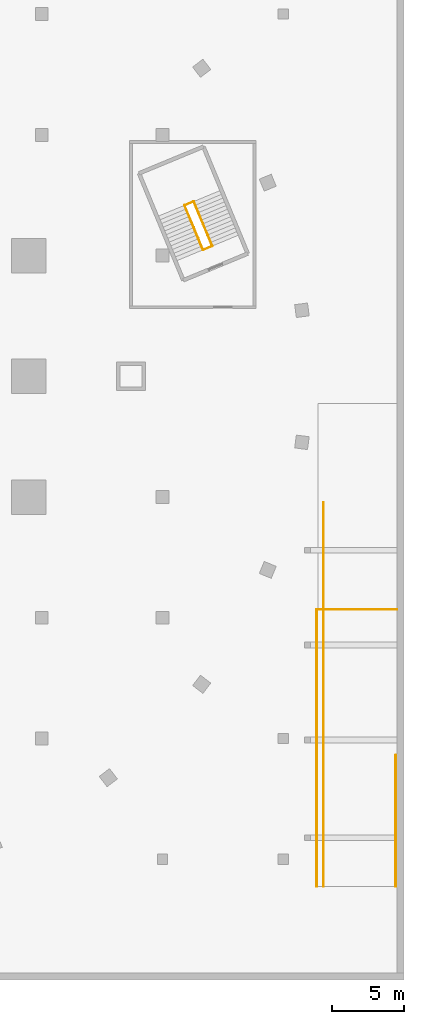
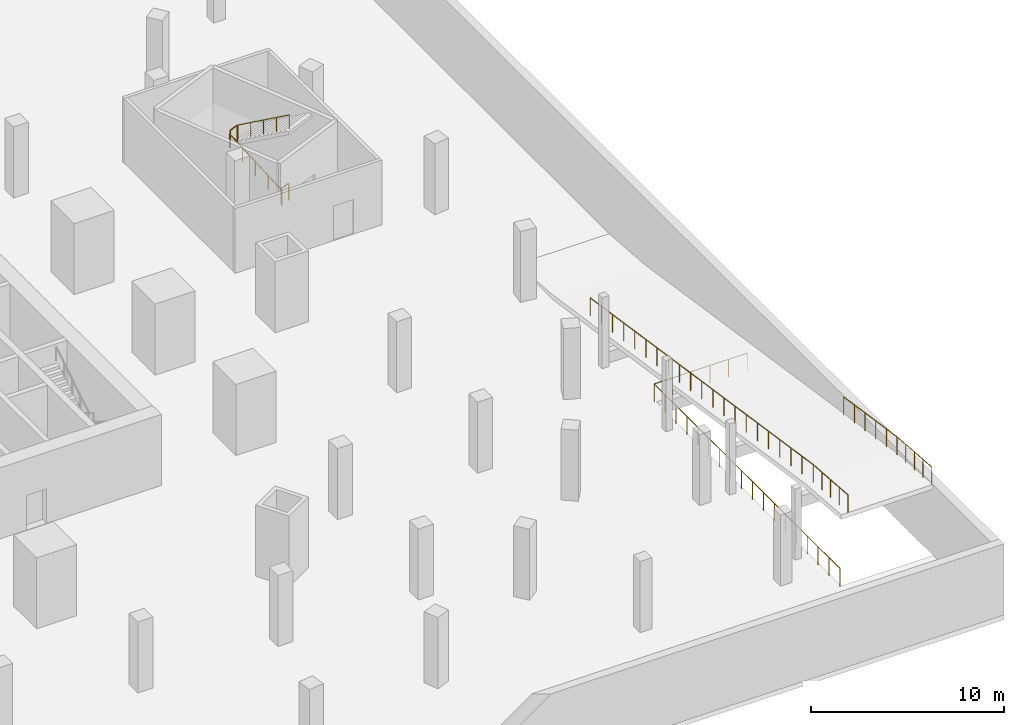
# One storey, part 9 of 9: 7 railings.
"""IFC4 building model written with IfcOpenShell, lengths in metres."""

import ifcopenshell
import ifcopenshell.guid

model = None  # the IFC model being written
_history = None  # IfcOwnerHistory: only IFC2X3 demands one
_inside = {}  # id of a spatial element -> (the spatial element, [elements in it])
_under = {}  # id of a project, library or spatial element -> (it, [spatial elements below it])
_declared = {}  # id of a project -> (the project, [libraries it declares])
_typed = {}  # id of a type object -> (the type object, [elements of that type])
_made_of = {}  # id of a material, layer set ... -> (it, [elements and type objects made of it])


def new_model(schema):
    """Start an empty IFC model of exactly this schema.

    Asked for "IFC4X3", IfcOpenShell would pick the latest addendum, in which some entities
    have other attributes; the version numbers below select the first issue.
    IFC2X3 requires an IfcOwnerHistory on every rooted entity: one is made here for all.
    """
    global model, _history
    if schema == "IFC4X3":
        model = ifcopenshell.file(schema_version=(4, 3, 0, 0))
    else:
        model = ifcopenshell.file(schema=schema)
    _inside.clear()
    _under.clear()
    _declared.clear()
    _typed.clear()
    _made_of.clear()
    _history = None
    if model.schema == "IFC2X3":
        org = make("IfcOrganization", Name="unknown")
        user = make(
            "IfcPersonAndOrganization",
            ThePerson=make("IfcPerson", FamilyName="unknown"),
            TheOrganization=org,
        )
        app = make(
            "IfcApplication",
            ApplicationDeveloper=org,
            Version="unknown",
            ApplicationFullName="unknown",
            ApplicationIdentifier="unknown",
        )
        _history = make(
            "IfcOwnerHistory",
            OwningUser=user,
            OwningApplication=app,
            ChangeAction="ADDED",
            CreationDate=0,
        )
    return model


def make(cls, **values):
    """One entity of the class cls with the attributes given. An attribute that is None is left unset."""
    return model.create_entity(
        cls, **{name: value for name, value in values.items() if value is not None}
    )


def rooted(cls, **values):
    """An entity with a GlobalId (a new one), such as an element, a storey or a relation."""
    return make(cls, GlobalId=ifcopenshell.guid.new(), OwnerHistory=_history, **values)


def si_unit(unit_type, name, prefix=None):
    """IfcSIUnit, for example si_unit("LENGTHUNIT", "METRE", prefix="MILLI")."""
    return make("IfcSIUnit", UnitType=unit_type, Prefix=prefix, Name=name)


def assignment(units):
    """IfcUnitAssignment: the units of a project."""
    return None if units is None else make("IfcUnitAssignment", Units=units)


def point(xyz):
    """IfcCartesianPoint."""
    return None if xyz is None else make("IfcCartesianPoint", Coordinates=xyz)


def direction(xyz):
    """IfcDirection."""
    return None if xyz is None else make("IfcDirection", DirectionRatios=xyz)


def frame(location, z_axis=None, x_axis=None):
    """IfcAxis2Placement3D, a coordinate frame: its origin and axes. An axis left out is left unset."""
    return make(
        "IfcAxis2Placement3D",
        Location=point(location),
        Axis=direction(z_axis),
        RefDirection=direction(x_axis),
    )


def frame_2d(location, x_axis=None):
    """IfcAxis2Placement2D, a coordinate frame in the plane: its origin and x axis."""
    return make(
        "IfcAxis2Placement2D", Location=point(location), RefDirection=direction(x_axis)
    )


def origin():
    """The frame at (0, 0, 0) with its axes left unset."""
    return frame((0.0, 0.0, 0.0))


def origin_2d():
    """The frame at (0, 0) in the plane with its x axis left unset."""
    return frame_2d((0.0, 0.0))


def place(relative_to, where):
    """IfcLocalPlacement: puts the frame where relative to a parent placement (None: the world)."""
    return make(
        "IfcLocalPlacement", PlacementRelTo=relative_to, RelativePlacement=where
    )


def context(
    kind, dimensions, precision=None, world=None, true_north=None, identifier=None
):
    """IfcGeometricRepresentationContext, for example the 3D "Model" context."""
    return make(
        "IfcGeometricRepresentationContext",
        ContextIdentifier=identifier,
        ContextType=kind,
        CoordinateSpaceDimension=dimensions,
        Precision=precision,
        WorldCoordinateSystem=world,
        TrueNorth=true_north,
    )


def subcontext(parent, identifier, kind, view, scale=None):
    """IfcGeometricRepresentationSubContext, for example "Body" below "Model"."""
    return make(
        "IfcGeometricRepresentationSubContext",
        ContextIdentifier=identifier,
        ContextType=kind,
        ParentContext=parent,
        TargetScale=scale,
        TargetView=view,
    )


def project(units=None, contexts=None):
    """IfcProject with its units and contexts."""
    return rooted(
        "IfcProject",
        Name="project",
        RepresentationContexts=contexts,
        UnitsInContext=assignment(units),
    )


def spatial(cls, under=None, at=None, **own):
    """A site, building, storey or space (cls), placed at a placement, below another one or the project."""
    s = rooted(cls, ObjectPlacement=at, **own)
    if under is not None:
        _under.setdefault(under.id(), (under, []))[1].append(s)
    return s


def profile(cls, at=None, kind="AREA", **sizes):
    """A parametric profile (cls). Its sizes go by their IFC names, for example OverallWidth=200.0."""
    return make(cls, ProfileType=kind, Position=at, **sizes)


def circle(**sizes):
    """IfcCircleProfileDef."""
    return profile("IfcCircleProfileDef", **sizes)


def extrude(swept, where, along, depth):
    """IfcExtrudedAreaSolid: the profile swept, set in the frame where, extruded along a direction by depth."""
    return make(
        "IfcExtrudedAreaSolid",
        SweptArea=swept,
        Position=where,
        ExtrudedDirection=direction(along),
        Depth=depth,
    )


def shape(context_of_items, identifier, shape_type, items):
    """IfcShapeRepresentation: the items that make up one representation, for example the "Body"."""
    return make(
        "IfcShapeRepresentation",
        ContextOfItems=context_of_items,
        RepresentationIdentifier=identifier,
        RepresentationType=shape_type,
        Items=items,
    )


def material(Name=None, Category=None):
    """IfcMaterial."""
    return make("IfcMaterial", Name=Name, Category=Category)


def made_of(thing, what):
    """Note that an element or type object is made of a material, layer set ...; save() writes the relation."""
    if what is not None:
        _made_of.setdefault(what.id(), (what, []))[1].append(thing)
    return thing


def type_object(cls, material=None, **own):
    """A type object (cls), such as IfcWallType, which elements share."""
    return made_of(rooted(cls, **own), material)


def element(
    cls,
    number,
    at=None,
    inside=None,
    cuts=None,
    type_object=None,
    material=None,
    context=None,
    identifier="Body",
    shape_type=None,
    held_by="IfcProductDefinitionShape",
    body=None,
    shapes=None,
    **own,
):
    """One element of the class cls, such as IfcWall. Its Tag is "e" and its number.

    at: its placement. inside: the storey or other place that contains it. cuts: it is an
    opening in that element (IfcRelVoidsElement). A single representation is given by context,
    identifier, shape_type and body (its items); several are given by shapes. held_by: the class
    of the entity that holds the representations. save() writes the other relations.
    """
    e = rooted(cls, Tag="e%d" % number, ObjectPlacement=at, **own)
    if body is not None:
        shapes = [shape(context, identifier, shape_type, body)]
    if shapes is not None:
        e.Representation = make(held_by, Representations=shapes)
    if inside is not None:
        _inside.setdefault(inside.id(), (inside, []))[1].append(e)
    if cuts is not None:
        rooted(
            "IfcRelVoidsElement", RelatingBuildingElement=cuts, RelatedOpeningElement=e
        )
    if type_object is not None:
        _typed.setdefault(type_object.id(), (type_object, []))[1].append(e)
    return made_of(e, material)


def aggregate(whole, parts):
    """IfcRelAggregates: a whole, such as a stair, and the parts it consists of."""
    return rooted("IfcRelAggregates", RelatingObject=whole, RelatedObjects=parts)


def save(model, path):
    """Write the relations noted so far, then the file.

    IfcRelAggregates (storeys below a building ...), IfcRelContainedInSpatialStructure (elements
    in a storey), IfcRelDefinesByType, IfcRelAssociatesMaterial and IfcRelDeclares: one each for
    every whole, place, type object, material and project.
    """
    for whole, parts in _under.values():
        aggregate(whole, parts)
    for where, things in _inside.values():
        rooted(
            "IfcRelContainedInSpatialStructure",
            RelatedElements=things,
            RelatingStructure=where,
        )
    for kind, things in _typed.values():
        rooted("IfcRelDefinesByType", RelatedObjects=things, RelatingType=kind)
    for what, things in _made_of.values():
        rooted("IfcRelAssociatesMaterial", RelatedObjects=things, RelatingMaterial=what)
    for by, libraries in _declared.values():
        rooted("IfcRelDeclares", RelatingContext=by, RelatedDefinitions=libraries)
    model.write(path)


model = new_model("IFC4")

# Units and contexts
model_context = context("Model", 3, precision=1e-05, world=origin(), true_north=direction((0.0, 1.0)))
body_context = subcontext(model_context, "Body", "Model", "MODEL_VIEW")
ifc_project = project(units=[si_unit("LENGTHUNIT", "METRE"), si_unit("AREAUNIT", "SQUARE_METRE"), si_unit("VOLUMEUNIT", "CUBIC_METRE"), si_unit("PLANEANGLEUNIT", "RADIAN"), si_unit("MASSUNIT", "GRAM", prefix="KILO")], contexts=[model_context])

# Site, building, storey
site_placement = place(None, origin())
site = spatial("IfcSite", under=ifc_project, at=site_placement, CompositionType="ELEMENT")
building_placement = place(site_placement, origin())
building = spatial("IfcBuilding", under=site, at=building_placement, Name="Golbaran Civic Tower", CompositionType="ELEMENT")
storey_placement = place(building_placement, frame((0.0, 0.0, -4.5)))
storey = spatial("IfcBuildingStorey", under=building, at=storey_placement, Name="B1", CompositionType="ELEMENT", Elevation=-4.5)

# Railings
ifc_material_1 = material(Name="Galvanised steel guard and kerb", Category="steel")
railing_type_1 = type_object("IfcRailingType", Name="RAMP GUARD 1150", PredefinedType="GUARDRAIL", material=ifc_material_1)
railing_1_placement = place(storey_placement, frame((36.39990234375, -35.5, 4.5)))
element("IfcRailing", 1, at=railing_1_placement, inside=storey, type_object=railing_type_1, Name="Car ramp guard L00 to B1", PredefinedType="GUARDRAIL", context=body_context, shape_type="SweptSolid", body=[
    extrude(circle(Radius=0.02392578125, at=origin_2d()), frame((0.0, 0.0, 1.1259765625), z_axis=(0.0, 0.997199057707, -0.074793310581), x_axis=(-1.0, 0.0, 0.0)), (0.0, 0.0, 1.0), 3.610107421875),
    extrude(circle(Radius=0.02392578125, at=origin_2d()), frame((0.0, 3.60009765625, 0.85595703125), z_axis=(0.0, 0.988936505976, -0.148339432208), x_axis=(-1.0, 0.0, 0.0)), (0.0, 0.0, 1.0), 23.39208984375),
    extrude(circle(Radius=0.02099609375, at=origin_2d()), origin(), (0.0, 0.0, 1.0), 1.101806640625),
    extrude(circle(Radius=0.02099609375, at=origin_2d()), frame((0.0, 0.89990234375, -0.0673828125)), (0.0, 0.0, 1.0), 1.101806640625),
    extrude(circle(Radius=0.02099609375, at=origin_2d()), frame((0.0, 1.800048828125, -0.135009765625)), (0.0, 0.0, 1.0), 1.101806640625),
    extrude(circle(Radius=0.02099609375, at=origin_2d()), frame((0.0, 2.7001953125, -0.20263671875)), (0.0, 0.0, 1.0), 1.101806640625),
    extrude(circle(Radius=0.02099609375, at=origin_2d()), frame((0.0, 3.60009765625, -0.27001953125)), (0.0, 0.0, 1.0), 1.101806640625),
    extrude(circle(Radius=0.02099609375, at=origin_2d()), frame((0.0, 4.7568359375, -0.443603515625)), (0.0, 0.0, 1.0), 1.101806640625),
    extrude(circle(Radius=0.02099609375, at=origin_2d()), frame((0.0, 5.913330078125, -0.616943359375)), (0.0, 0.0, 1.0), 1.101806640625),
    extrude(circle(Radius=0.02099609375, at=origin_2d()), frame((0.0, 7.070068359375, -0.79052734375)), (0.0, 0.0, 1.0), 1.101806640625),
    extrude(circle(Radius=0.02099609375, at=origin_2d()), frame((0.0, 8.226806640625, -0.964111328125)), (0.0, 0.0, 1.0), 1.101806640625),
    extrude(circle(Radius=0.02099609375, at=origin_2d()), frame((0.0, 9.38330078125, -1.137451171875)), (0.0, 0.0, 1.0), 1.101806640625),
    extrude(circle(Radius=0.02099609375, at=origin_2d()), frame((0.0, 10.5400390625, -1.31103515625)), (0.0, 0.0, 1.0), 1.101806640625),
    extrude(circle(Radius=0.02099609375, at=origin_2d()), frame((0.0, 11.69677734375, -1.484619140625)), (0.0, 0.0, 1.0), 1.101806640625),
    extrude(circle(Radius=0.02099609375, at=origin_2d()), frame((0.0, 12.853515625, -1.657958984375)), (0.0, 0.0, 1.0), 1.101806640625),
    extrude(circle(Radius=0.02099609375, at=origin_2d()), frame((0.0, 14.010009765625, -1.83154296875)), (0.0, 0.0, 1.0), 1.101806640625),
    extrude(circle(Radius=0.02099609375, at=origin_2d()), frame((0.0, 15.166748046875, -2.0048828125)), (0.0, 0.0, 1.0), 1.101806640625),
    extrude(circle(Radius=0.02099609375, at=origin_2d()), frame((0.0, 16.323486328125, -2.178466796875)), (0.0, 0.0, 1.0), 1.101806640625),
    extrude(circle(Radius=0.02099609375, at=origin_2d()), frame((0.0, 17.47998046875, -2.35205078125)), (0.0, 0.0, 1.0), 1.101806640625),
    extrude(circle(Radius=0.02099609375, at=origin_2d()), frame((0.0, 18.63671875, -2.525390625)), (0.0, 0.0, 1.0), 1.101806640625),
    extrude(circle(Radius=0.02099609375, at=origin_2d()), frame((0.0, 19.79345703125, -2.698974609375)), (0.0, 0.0, 1.0), 1.101806640625),
    extrude(circle(Radius=0.02099609375, at=origin_2d()), frame((0.0, 20.9501953125, -2.87255859375)), (0.0, 0.0, 1.0), 1.101806640625),
    extrude(circle(Radius=0.02099609375, at=origin_2d()), frame((0.0, 22.106689453125, -3.0458984375)), (0.0, 0.0, 1.0), 1.101806640625),
    extrude(circle(Radius=0.02099609375, at=origin_2d()), frame((0.0, 23.263427734375, -3.219482421875)), (0.0, 0.0, 1.0), 1.101806640625),
    extrude(circle(Radius=0.02099609375, at=origin_2d()), frame((0.0, 24.420166015625, -3.39306640625)), (0.0, 0.0, 1.0), 1.101806640625),
    extrude(circle(Radius=0.02099609375, at=origin_2d()), frame((0.0, 25.57666015625, -3.56640625)), (0.0, 0.0, 1.0), 1.101806640625),
    extrude(circle(Radius=0.02099609375, at=origin_2d()), frame((0.0, 26.7333984375, -3.739990234375)), (0.0, 0.0, 1.0), 1.101806640625),
])
railing_2_placement = place(storey_placement, frame((41.425048828125, -35.5, 4.5)))
element("IfcRailing", 2, at=railing_2_placement, inside=storey, type_object=railing_type_1, Name="Car ramp wall-side guard L00 to B1", PredefinedType="GUARDRAIL", context=body_context, shape_type="SweptSolid", body=[
    extrude(circle(Radius=0.02392578125, at=origin_2d()), frame((0.0, 0.0, 1.1259765625), z_axis=(0.0, 0.997199057707, -0.074793310581), x_axis=(-1.0, 0.0, 0.0)), (0.0, 0.0, 1.0), 3.610107421875),
    extrude(circle(Radius=0.02392578125, at=origin_2d()), frame((0.0, 3.60009765625, 0.85595703125), z_axis=(0.0, 0.988933792257, -0.148357522665), x_axis=(-1.0, 0.0, 0.0)), (0.0, 0.0, 1.0), 5.59521484375),
    extrude(circle(Radius=0.02099609375, at=origin_2d()), origin(), (0.0, 0.0, 1.0), 1.101806640625),
    extrude(circle(Radius=0.02099609375, at=origin_2d()), frame((0.0, 0.89990234375, -0.0673828125)), (0.0, 0.0, 1.0), 1.101806640625),
    extrude(circle(Radius=0.02099609375, at=origin_2d()), frame((0.0, 1.800048828125, -0.135009765625)), (0.0, 0.0, 1.0), 1.101806640625),
    extrude(circle(Radius=0.02099609375, at=origin_2d()), frame((0.0, 2.7001953125, -0.20263671875)), (0.0, 0.0, 1.0), 1.101806640625),
    extrude(circle(Radius=0.02099609375, at=origin_2d()), frame((0.0, 3.60009765625, -0.27001953125)), (0.0, 0.0, 1.0), 1.101806640625),
    extrude(circle(Radius=0.02099609375, at=origin_2d()), frame((0.0, 4.706787109375, -0.43603515625)), (0.0, 0.0, 1.0), 1.101806640625),
    extrude(circle(Radius=0.02099609375, at=origin_2d()), frame((0.0, 5.8134765625, -0.60205078125)), (0.0, 0.0, 1.0), 1.101806640625),
    extrude(circle(Radius=0.02099609375, at=origin_2d()), frame((0.0, 6.919921875, -0.76806640625)), (0.0, 0.0, 1.0), 1.101806640625),
    extrude(circle(Radius=0.02099609375, at=origin_2d()), frame((0.0, 8.026611328125, -0.93408203125)), (0.0, 0.0, 1.0), 1.101806640625),
    extrude(circle(Radius=0.02099609375, at=origin_2d()), frame((0.0, 9.13330078125, -1.10009765625)), (0.0, 0.0, 1.0), 1.101806640625),
])
railing_3_placement = place(storey_placement, frame((35.925048828125, -35.5, 0.0)))
element("IfcRailing", 3, at=railing_3_placement, inside=storey, type_object=railing_type_1, Name="Ramp opening guard B1", PredefinedType="GUARDRAIL", context=body_context, shape_type="SweptSolid", body=[
    extrude(circle(Radius=0.02392578125, at=origin_2d()), frame((0.0, 0.0, 1.1259765625), z_axis=(0.0, 1.0, 0.0), x_axis=(-1.0, 0.0, 0.0)), (0.0, 0.0, 1.0), 19.27490234375),
    extrude(circle(Radius=0.02392578125, at=origin_2d()), frame((0.0, 19.27490234375, 1.1259765625), z_axis=(1.0, 0.0, 0.0), x_axis=(0.0, 1.0, 0.0)), (0.0, 0.0, 1.0), 5.574951171875),
    extrude(circle(Radius=0.02099609375, at=origin_2d()), origin(), (0.0, 0.0, 1.0), 1.101806640625),
    extrude(circle(Radius=0.02099609375, at=origin_2d()), frame((0.0, 1.1337890625, 0.0)), (0.0, 0.0, 1.0), 1.101806640625),
    extrude(circle(Radius=0.02099609375, at=origin_2d()), frame((0.0, 2.267578125, 0.0)), (0.0, 0.0, 1.0), 1.101806640625),
    extrude(circle(Radius=0.02099609375, at=origin_2d()), frame((0.0, 3.4013671875, 0.0)), (0.0, 0.0, 1.0), 1.101806640625),
    extrude(circle(Radius=0.02099609375, at=origin_2d()), frame((0.0, 4.53515625, 0.0)), (0.0, 0.0, 1.0), 1.101806640625),
    extrude(circle(Radius=0.02099609375, at=origin_2d()), frame((0.0, 5.669189453125, 0.0)), (0.0, 0.0, 1.0), 1.101806640625),
    extrude(circle(Radius=0.02099609375, at=origin_2d()), frame((0.0, 6.802978515625, 0.0)), (0.0, 0.0, 1.0), 1.101806640625),
    extrude(circle(Radius=0.02099609375, at=origin_2d()), frame((0.0, 7.936767578125, 0.0)), (0.0, 0.0, 1.0), 1.101806640625),
    extrude(circle(Radius=0.02099609375, at=origin_2d()), frame((0.0, 9.070556640625, 0.0)), (0.0, 0.0, 1.0), 1.101806640625),
    extrude(circle(Radius=0.02099609375, at=origin_2d()), frame((0.0, 10.204345703125, 0.0)), (0.0, 0.0, 1.0), 1.101806640625),
    extrude(circle(Radius=0.02099609375, at=origin_2d()), frame((0.0, 11.338134765625, 0.0)), (0.0, 0.0, 1.0), 1.101806640625),
    extrude(circle(Radius=0.02099609375, at=origin_2d()), frame((0.0, 12.471923828125, 0.0)), (0.0, 0.0, 1.0), 1.101806640625),
    extrude(circle(Radius=0.02099609375, at=origin_2d()), frame((0.0, 13.605712890625, 0.0)), (0.0, 0.0, 1.0), 1.101806640625),
    extrude(circle(Radius=0.02099609375, at=origin_2d()), frame((0.0, 14.73974609375, 0.0)), (0.0, 0.0, 1.0), 1.101806640625),
    extrude(circle(Radius=0.02099609375, at=origin_2d()), frame((0.0, 15.87353515625, 0.0)), (0.0, 0.0, 1.0), 1.101806640625),
    extrude(circle(Radius=0.02099609375, at=origin_2d()), frame((0.0, 17.00732421875, 0.0)), (0.0, 0.0, 1.0), 1.101806640625),
    extrude(circle(Radius=0.02099609375, at=origin_2d()), frame((0.0, 18.14111328125, 0.0)), (0.0, 0.0, 1.0), 1.101806640625),
    extrude(circle(Radius=0.02099609375, at=origin_2d()), frame((0.0, 19.27490234375, 0.0)), (0.0, 0.0, 1.0), 1.101806640625),
    extrude(circle(Radius=0.02099609375, at=origin_2d()), frame((1.114990234375, 19.27490234375, 0.0)), (0.0, 0.0, 1.0), 1.101806640625),
    extrude(circle(Radius=0.02099609375, at=origin_2d()), frame((2.22998046875, 19.27490234375, 0.0)), (0.0, 0.0, 1.0), 1.101806640625),
    extrude(circle(Radius=0.02099609375, at=origin_2d()), frame((3.344970703125, 19.27490234375, 0.0)), (0.0, 0.0, 1.0), 1.101806640625),
    extrude(circle(Radius=0.02099609375, at=origin_2d()), frame((4.4599609375, 19.27490234375, 0.0)), (0.0, 0.0, 1.0), 1.101806640625),
    extrude(circle(Radius=0.02099609375, at=origin_2d()), frame((5.574951171875, 19.27490234375, 0.0)), (0.0, 0.0, 1.0), 1.101806640625),
])
ifc_material_2 = material(Name="Steel balustrade", Category="steel")
railing_type_2 = type_object("IfcRailingType", Name="STAIR GUARD 1100", PredefinedType="GUARDRAIL", material=ifc_material_2)
railing_4_placement = place(storey_placement, frame((28.064697265625, 8.810546875, 0.0)))
element("IfcRailing", 4, at=railing_4_placement, inside=storey, type_object=railing_type_2, Name="Stair P1 well guard floor landing B1", PredefinedType="GUARDRAIL", context=body_context, shape_type="SweptSolid", body=[
    extrude(circle(Radius=0.02392578125, at=origin_2d()), frame((0.0, 0.0, 1.076171875), z_axis=(0.923917630863, 0.382591441855, 0.0), x_axis=(-0.382591441855, 0.923917630863, 0.0)), (0.0, 0.0, 1.0), 0.599853515625),
    extrude(circle(Radius=0.02099609375, at=origin_2d()), origin(), (0.0, 0.0, 1.0), 1.052001953125),
    extrude(circle(Radius=0.02099609375, at=origin_2d()), frame((0.55419921875, 0.2294921875, 0.0)), (0.0, 0.0, 1.0), 1.052001953125),
])
railing_5_placement = place(storey_placement, frame((26.77880859375, 11.914794921875, 2.25)))
element("IfcRailing", 5, at=railing_5_placement, inside=storey, type_object=railing_type_2, Name="Stair P1 well guard half landing B1", PredefinedType="GUARDRAIL", context=body_context, shape_type="SweptSolid", body=[
    extrude(circle(Radius=0.02392578125, at=origin_2d()), frame((0.0, 0.0, 1.076171875), z_axis=(0.923977174173, 0.382447619429, 0.0), x_axis=(-0.382447619429, 0.923977174173, 0.0)), (0.0, 0.0, 1.0), 0.60009765625),
    extrude(circle(Radius=0.02099609375, at=origin_2d()), origin(), (0.0, 0.0, 1.0), 1.052001953125),
    extrude(circle(Radius=0.02099609375, at=origin_2d()), frame((0.554443359375, 0.2294921875, 0.0)), (0.0, 0.0, 1.0), 1.052001953125),
])
ifc_material_3 = material(Name="Stainless steel", Category="steel")
railing_type_3 = type_object("IfcRailingType", Name="STAIR HANDRAIL 900", PredefinedType="HANDRAIL", material=ifc_material_3)
railing_6_placement = place(storey_placement, frame((28.0185546875, 8.79150390625, 0.173095703125)))
element("IfcRailing", 6, at=railing_6_placement, inside=storey, type_object=railing_type_3, Name="Stair P1 handrail flight 1 B1", PredefinedType="HANDRAIL", context=body_context, shape_type="SweptSolid", body=[
    extrude(circle(Radius=0.02392578125, at=origin_2d()), frame((0.0, 0.0, 0.8759765625), z_axis=(-0.32553207776, 0.785862990074, 0.525783441334), x_axis=(-0.923872479269, -0.382700459954, 0.0)), (0.0, 0.0, 1.0), 3.9501953125),
    extrude(circle(Radius=0.02099609375, at=origin_2d()), origin(), (0.0, 0.0, 1.0), 0.851806640625),
    extrude(circle(Radius=0.02099609375, at=origin_2d()), frame((-0.321533203125, 0.776123046875, 0.519287109375)), (0.0, 0.0, 1.0), 0.851806640625),
    extrude(circle(Radius=0.02099609375, at=origin_2d()), frame((-0.64306640625, 1.55224609375, 1.03857421875)), (0.0, 0.0, 1.0), 0.851806640625),
    extrude(circle(Radius=0.02099609375, at=origin_2d()), frame((-0.96435546875, 2.328125, 1.5576171875)), (0.0, 0.0, 1.0), 0.851806640625),
    extrude(circle(Radius=0.02099609375, at=origin_2d()), frame((-1.285888671875, 3.104248046875, 2.076904296875)), (0.0, 0.0, 1.0), 0.851806640625),
])
railing_7_placement = place(storey_placement, frame((27.37939453125, 12.16357421875, 2.423095703125)))
element("IfcRailing", 7, at=railing_7_placement, inside=storey, type_object=railing_type_3, Name="Stair P1 handrail flight 2 B1", PredefinedType="HANDRAIL", context=body_context, shape_type="SweptSolid", body=[
    extrude(circle(Radius=0.02392578125, at=origin_2d()), frame((0.0, 0.0, 0.8759765625), z_axis=(0.32553207776, -0.785862990074, 0.525783441334), x_axis=(0.923872479269, 0.382700459954, 0.0)), (0.0, 0.0, 1.0), 3.9501953125),
    extrude(circle(Radius=0.02099609375, at=origin_2d()), origin(), (0.0, 0.0, 1.0), 0.851806640625),
    extrude(circle(Radius=0.02099609375, at=origin_2d()), frame((0.321533203125, -0.776123046875, 0.519287109375)), (0.0, 0.0, 1.0), 0.851806640625),
    extrude(circle(Radius=0.02099609375, at=origin_2d()), frame((0.64306640625, -1.55224609375, 1.03857421875)), (0.0, 0.0, 1.0), 0.851806640625),
    extrude(circle(Radius=0.02099609375, at=origin_2d()), frame((0.96435546875, -2.328125, 1.5576171875)), (0.0, 0.0, 1.0), 0.851806640625),
    extrude(circle(Radius=0.02099609375, at=origin_2d()), frame((1.285888671875, -3.104248046875, 2.076904296875)), (0.0, 0.0, 1.0), 0.851806640625),
])

save(model, "model.ifc")
